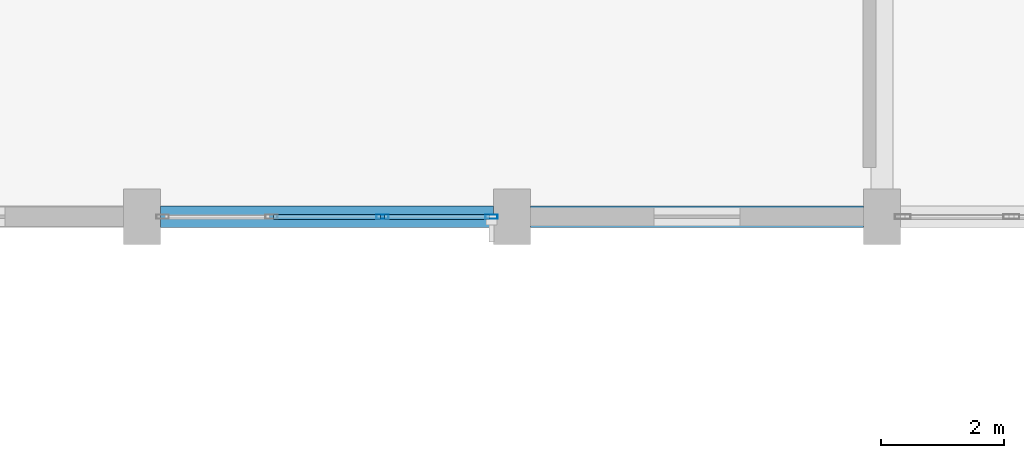
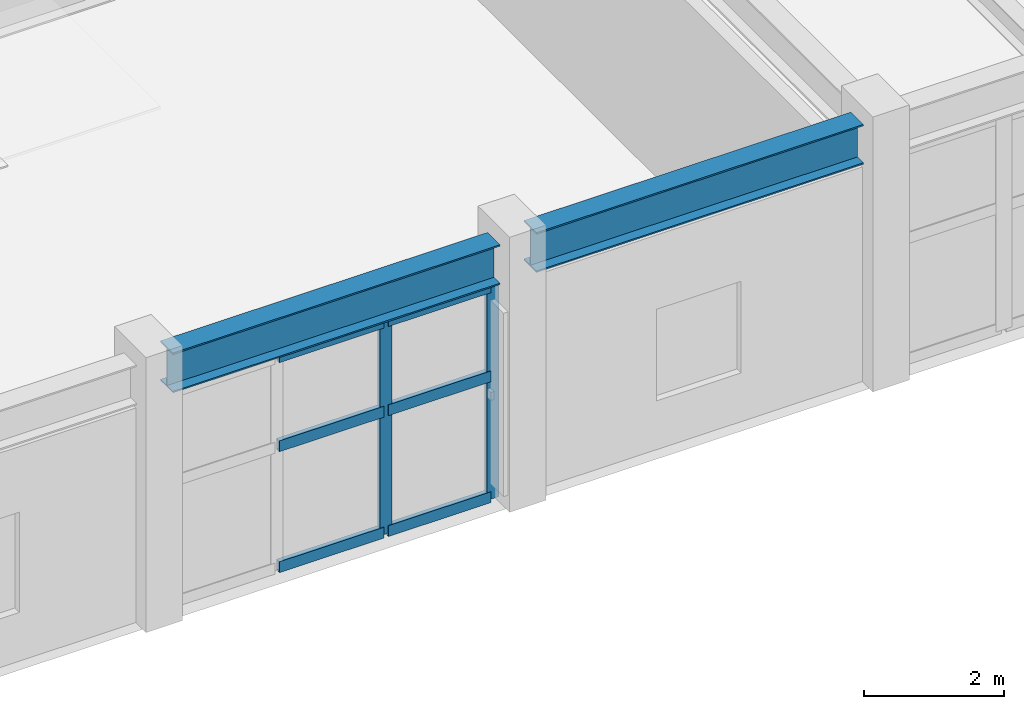
# One storey, part 8 of 85: 8 members, 2 beams, 1 element without a shape of its own.
"""IFC4 building model written with IfcOpenShell, lengths in metres."""

import ifcopenshell
import ifcopenshell.guid

model = None  # the IFC model being written
_history = None  # IfcOwnerHistory: only IFC2X3 demands one
_inside = {}  # id of a spatial element -> (the spatial element, [elements in it])
_under = {}  # id of a project, library or spatial element -> (it, [spatial elements below it])
_declared = {}  # id of a project -> (the project, [libraries it declares])
_typed = {}  # id of a type object -> (the type object, [elements of that type])
_made_of = {}  # id of a material, layer set ... -> (it, [elements and type objects made of it])


def new_model(schema):
    """Start an empty IFC model of exactly this schema.

    Asked for "IFC4X3", IfcOpenShell would pick the latest addendum, in which some entities
    have other attributes; the version numbers below select the first issue.
    IFC2X3 requires an IfcOwnerHistory on every rooted entity: one is made here for all.
    """
    global model, _history
    if schema == "IFC4X3":
        model = ifcopenshell.file(schema_version=(4, 3, 0, 0))
    else:
        model = ifcopenshell.file(schema=schema)
    _inside.clear()
    _under.clear()
    _declared.clear()
    _typed.clear()
    _made_of.clear()
    _history = None
    if model.schema == "IFC2X3":
        org = make("IfcOrganization", Name="unknown")
        user = make(
            "IfcPersonAndOrganization",
            ThePerson=make("IfcPerson", FamilyName="unknown"),
            TheOrganization=org,
        )
        app = make(
            "IfcApplication",
            ApplicationDeveloper=org,
            Version="unknown",
            ApplicationFullName="unknown",
            ApplicationIdentifier="unknown",
        )
        _history = make(
            "IfcOwnerHistory",
            OwningUser=user,
            OwningApplication=app,
            ChangeAction="ADDED",
            CreationDate=0,
        )
    return model


def make(cls, **values):
    """One entity of the class cls with the attributes given. An attribute that is None is left unset."""
    return model.create_entity(
        cls, **{name: value for name, value in values.items() if value is not None}
    )


def rooted(cls, **values):
    """An entity with a GlobalId (a new one), such as an element, a storey or a relation."""
    return make(cls, GlobalId=ifcopenshell.guid.new(), OwnerHistory=_history, **values)


def si_unit(unit_type, name, prefix=None):
    """IfcSIUnit, for example si_unit("LENGTHUNIT", "METRE", prefix="MILLI")."""
    return make("IfcSIUnit", UnitType=unit_type, Prefix=prefix, Name=name)


def assignment(units):
    """IfcUnitAssignment: the units of a project."""
    return None if units is None else make("IfcUnitAssignment", Units=units)


def point(xyz):
    """IfcCartesianPoint."""
    return None if xyz is None else make("IfcCartesianPoint", Coordinates=xyz)


def direction(xyz):
    """IfcDirection."""
    return None if xyz is None else make("IfcDirection", DirectionRatios=xyz)


def frame(location, z_axis=None, x_axis=None):
    """IfcAxis2Placement3D, a coordinate frame: its origin and axes. An axis left out is left unset."""
    return make(
        "IfcAxis2Placement3D",
        Location=point(location),
        Axis=direction(z_axis),
        RefDirection=direction(x_axis),
    )


def frame_2d(location, x_axis=None):
    """IfcAxis2Placement2D, a coordinate frame in the plane: its origin and x axis."""
    return make(
        "IfcAxis2Placement2D", Location=point(location), RefDirection=direction(x_axis)
    )


def origin():
    """The frame at (0, 0, 0) with its axes left unset."""
    return frame((0.0, 0.0, 0.0))


def origin_2d():
    """The frame at (0, 0) in the plane with its x axis left unset."""
    return frame_2d((0.0, 0.0))


def place(relative_to, where):
    """IfcLocalPlacement: puts the frame where relative to a parent placement (None: the world)."""
    return make(
        "IfcLocalPlacement", PlacementRelTo=relative_to, RelativePlacement=where
    )


def context(
    kind, dimensions, precision=None, world=None, true_north=None, identifier=None
):
    """IfcGeometricRepresentationContext, for example the 3D "Model" context."""
    return make(
        "IfcGeometricRepresentationContext",
        ContextIdentifier=identifier,
        ContextType=kind,
        CoordinateSpaceDimension=dimensions,
        Precision=precision,
        WorldCoordinateSystem=world,
        TrueNorth=true_north,
    )


def subcontext(parent, identifier, kind, view, scale=None):
    """IfcGeometricRepresentationSubContext, for example "Body" below "Model"."""
    return make(
        "IfcGeometricRepresentationSubContext",
        ContextIdentifier=identifier,
        ContextType=kind,
        ParentContext=parent,
        TargetScale=scale,
        TargetView=view,
    )


def project(units=None, contexts=None):
    """IfcProject with its units and contexts."""
    return rooted(
        "IfcProject",
        Name="project",
        RepresentationContexts=contexts,
        UnitsInContext=assignment(units),
    )


def spatial(cls, under=None, at=None, **own):
    """A site, building, storey or space (cls), placed at a placement, below another one or the project."""
    s = rooted(cls, ObjectPlacement=at, **own)
    if under is not None:
        _under.setdefault(under.id(), (under, []))[1].append(s)
    return s


def profile(cls, at=None, kind="AREA", **sizes):
    """A parametric profile (cls). Its sizes go by their IFC names, for example OverallWidth=200.0."""
    return make(cls, ProfileType=kind, Position=at, **sizes)


def hollow_rectangle(**sizes):
    """IfcRectangleHollowProfileDef."""
    return profile("IfcRectangleHollowProfileDef", **sizes)


def i_section(**sizes):
    """IfcIShapeProfileDef."""
    return profile("IfcIShapeProfileDef", **sizes)


def extrude(swept, where, along, depth):
    """IfcExtrudedAreaSolid: the profile swept, set in the frame where, extruded along a direction by depth."""
    return make(
        "IfcExtrudedAreaSolid",
        SweptArea=swept,
        Position=where,
        ExtrudedDirection=direction(along),
        Depth=depth,
    )


def shape(context_of_items, identifier, shape_type, items):
    """IfcShapeRepresentation: the items that make up one representation, for example the "Body"."""
    return make(
        "IfcShapeRepresentation",
        ContextOfItems=context_of_items,
        RepresentationIdentifier=identifier,
        RepresentationType=shape_type,
        Items=items,
    )


def material(Name=None, Category=None):
    """IfcMaterial."""
    return make("IfcMaterial", Name=Name, Category=Category)


def layer(
    of_material, thickness, ventilated=None, Name=None, Category=None, Priority=None
):
    """IfcMaterialLayer: one layer of a wall or slab, of a material (None: an air gap)."""
    return make(
        "IfcMaterialLayer",
        Material=of_material,
        LayerThickness=thickness,
        IsVentilated=ventilated,
        Name=Name,
        Category=Category,
        Priority=Priority,
    )


def layer_set(layers, Name=None):
    """IfcMaterialLayerSet."""
    return make("IfcMaterialLayerSet", MaterialLayers=layers, LayerSetName=Name)


def material_profile(
    of_material, cross_section, Name=None, Category=None, Priority=None
):
    """IfcMaterialProfile: a cross section and its material."""
    return make(
        "IfcMaterialProfile",
        Name=Name,
        Material=of_material,
        Profile=cross_section,
        Priority=Priority,
        Category=Category,
    )


def profile_set(profiles, Name=None, composite=None):
    """IfcMaterialProfileSet."""
    return make(
        "IfcMaterialProfileSet",
        Name=Name,
        MaterialProfiles=profiles,
        CompositeProfile=composite,
    )


def made_of(thing, what):
    """Note that an element or type object is made of a material, layer set ...; save() writes the relation."""
    if what is not None:
        _made_of.setdefault(what.id(), (what, []))[1].append(thing)
    return thing


def type_object(cls, material=None, **own):
    """A type object (cls), such as IfcWallType, which elements share."""
    return made_of(rooted(cls, **own), material)


def element(
    cls,
    number,
    at=None,
    inside=None,
    cuts=None,
    type_object=None,
    material=None,
    context=None,
    identifier="Body",
    shape_type=None,
    held_by="IfcProductDefinitionShape",
    body=None,
    shapes=None,
    **own,
):
    """One element of the class cls, such as IfcWall. Its Tag is "e" and its number.

    at: its placement. inside: the storey or other place that contains it. cuts: it is an
    opening in that element (IfcRelVoidsElement). A single representation is given by context,
    identifier, shape_type and body (its items); several are given by shapes. held_by: the class
    of the entity that holds the representations. save() writes the other relations.
    """
    e = rooted(cls, Tag="e%d" % number, ObjectPlacement=at, **own)
    if body is not None:
        shapes = [shape(context, identifier, shape_type, body)]
    if shapes is not None:
        e.Representation = make(held_by, Representations=shapes)
    if inside is not None:
        _inside.setdefault(inside.id(), (inside, []))[1].append(e)
    if cuts is not None:
        rooted(
            "IfcRelVoidsElement", RelatingBuildingElement=cuts, RelatedOpeningElement=e
        )
    if type_object is not None:
        _typed.setdefault(type_object.id(), (type_object, []))[1].append(e)
    return made_of(e, material)


def aggregate(whole, parts):
    """IfcRelAggregates: a whole, such as a stair, and the parts it consists of."""
    return rooted("IfcRelAggregates", RelatingObject=whole, RelatedObjects=parts)


def save(model, path):
    """Write the relations noted so far, then the file.

    IfcRelAggregates (storeys below a building ...), IfcRelContainedInSpatialStructure (elements
    in a storey), IfcRelDefinesByType, IfcRelAssociatesMaterial and IfcRelDeclares: one each for
    every whole, place, type object, material and project.
    """
    for whole, parts in _under.values():
        aggregate(whole, parts)
    for where, things in _inside.values():
        rooted(
            "IfcRelContainedInSpatialStructure",
            RelatedElements=things,
            RelatingStructure=where,
        )
    for kind, things in _typed.values():
        rooted("IfcRelDefinesByType", RelatedObjects=things, RelatingType=kind)
    for what, things in _made_of.values():
        rooted("IfcRelAssociatesMaterial", RelatedObjects=things, RelatingMaterial=what)
    for by, libraries in _declared.values():
        rooted("IfcRelDeclares", RelatingContext=by, RelatedDefinitions=libraries)
    model.write(path)


model = new_model("IFC4")

# Units and contexts
model_context = context("Model", 3, precision=1e-05, world=origin(), true_north=direction((0.0, 1.0)))
body_context = subcontext(model_context, "Body", "Model", "MODEL_VIEW")
ifc_project = project(units=[si_unit("LENGTHUNIT", "METRE"), si_unit("AREAUNIT", "SQUARE_METRE"), si_unit("VOLUMEUNIT", "CUBIC_METRE"), si_unit("PLANEANGLEUNIT", "RADIAN"), si_unit("MASSUNIT", "GRAM", prefix="KILO")], contexts=[model_context])

# Site, building, storey
site_placement = place(None, origin())
site = spatial("IfcSite", under=ifc_project, at=site_placement, CompositionType="ELEMENT")
building_placement = place(site_placement, origin())
building = spatial("IfcBuilding", under=site, at=building_placement, Name="Vaelkrest Opera House", CompositionType="ELEMENT")
storey_placement = place(building_placement, frame((0.0, 0.0, 10.199951171875)))
storey = spatial("IfcBuildingStorey", under=building, at=storey_placement, Name="L02", CompositionType="ELEMENT", Elevation=10.199951171875)

# Curtain wall, members
ifc_material_1 = material(Name="Dark bronze anodized aluminium", Category="aluminium")
ifc_layer = layer(ifc_material_1, 0.22998046875)
ifc_layer_set = layer_set([ifc_layer], Name="Dark bronze anodized aluminium")
curtain_wall_type = type_object("IfcCurtainWallType", Name="CW06", PredefinedType="NOTDEFINED", material=ifc_layer_set)
curtain_wall_placement = place(storey_placement, origin())
curtain_wall = element("IfcCurtainWall", 1, at=curtain_wall_placement, inside=storey, type_object=curtain_wall_type, Name="Curtain wall CW-L02-114", PredefinedType="NOTDEFINED")
ifc_material_profile_1 = material_profile(ifc_material_1, hollow_rectangle(XDim=0.070068359375, YDim=0.199951171875, WallThickness=0.004150390625, at=origin_2d()), Name="CWM70X200")
ifc_profile_set_1 = profile_set([ifc_material_profile_1], Name="Dark bronze anodized aluminium")
member_type_1 = type_object("IfcMemberType", Name="CWM02", PredefinedType="MULLION", material=ifc_profile_set_1)
member_1_placement = place(storey_placement, frame((-57.93310546875, -16.800048828125, 0.0), z_axis=(0.0, 0.0, 1.0), x_axis=(0.0, -1.0, 0.0)))
member_1 = element("IfcMember", 2, at=member_1_placement, type_object=member_type_1, Name="CW06 mullion 1", PredefinedType="MULLION", context=body_context, shape_type="SweptSolid", body=[
    extrude(hollow_rectangle(XDim=0.070068359375, YDim=0.199951171875, WallThickness=0.004150390625, at=origin_2d()), origin(), (0.0, 0.0, 1.0), 3.7451171875),
])
member_2_placement = place(storey_placement, frame((-59.69921875, -16.800048828125, 0.0), z_axis=(0.0, 0.0, 1.0), x_axis=(0.0, -1.0, 0.0)))
member_2 = element("IfcMember", 3, at=member_2_placement, type_object=member_type_1, Name="CW06 mullion 2", PredefinedType="MULLION", context=body_context, shape_type="SweptSolid", body=[
    extrude(hollow_rectangle(XDim=0.070068359375, YDim=0.199951171875, WallThickness=0.004150390625, at=origin_2d()), origin(), (0.0, 0.0, 1.0), 3.7451171875),
])
ifc_material_profile_2 = material_profile(ifc_material_1, hollow_rectangle(XDim=0.080078125, YDim=0.18994140625, WallThickness=0.0048828125, at=origin_2d()), Name="CWT80X190")
ifc_profile_set_2 = profile_set([ifc_material_profile_2], Name="Dark bronze anodized aluminium")
member_type_2 = type_object("IfcMemberType", Name="CWT04", PredefinedType="USERDEFINED", material=ifc_profile_set_2)
member_3_placement = place(storey_placement, frame((-57.968017578125, -16.800048828125, 0.0400390625), z_axis=(-1.0, 0.0, 0.0), x_axis=(0.0, -1.0, 0.0)))
member_3 = element("IfcMember", 4, at=member_3_placement, type_object=member_type_2, Name="CW06 transom 1.1", ObjectType="TRANSOM", PredefinedType="USERDEFINED", context=body_context, shape_type="SweptSolid", body=[
    extrude(hollow_rectangle(XDim=0.080078125, YDim=0.18994140625, WallThickness=0.0048828125, at=origin_2d()), origin(), (0.0, 0.0, 1.0), 1.6962890625),
])
member_4_placement = place(storey_placement, frame((-57.968017578125, -16.800048828125, 2.150146484375), z_axis=(-1.0, 0.0, 0.0), x_axis=(0.0, -1.0, 0.0)))
member_4 = element("IfcMember", 5, at=member_4_placement, type_object=member_type_2, Name="CW06 transom 1.2", ObjectType="TRANSOM", PredefinedType="USERDEFINED", context=body_context, shape_type="SweptSolid", body=[
    extrude(hollow_rectangle(XDim=0.080078125, YDim=0.18994140625, WallThickness=0.0048828125, at=origin_2d()), origin(), (0.0, 0.0, 1.0), 1.6962890625),
])
member_5_placement = place(storey_placement, frame((-57.968017578125, -16.800048828125, 3.705078125), z_axis=(-1.0, 0.0, 0.0), x_axis=(0.0, -1.0, 0.0)))
member_5 = element("IfcMember", 6, at=member_5_placement, type_object=member_type_2, Name="CW06 transom 1.3", ObjectType="TRANSOM", PredefinedType="USERDEFINED", context=body_context, shape_type="SweptSolid", body=[
    extrude(hollow_rectangle(XDim=0.080078125, YDim=0.18994140625, WallThickness=0.0048828125, at=origin_2d()), origin(), (0.0, 0.0, 1.0), 1.6962890625),
])
member_6_placement = place(storey_placement, frame((-59.734375, -16.800048828125, 0.0400390625), z_axis=(-1.0, 0.0, 0.0), x_axis=(0.0, -1.0, 0.0)))
member_6 = element("IfcMember", 7, at=member_6_placement, type_object=member_type_2, Name="CW06 transom 2.1", ObjectType="TRANSOM", PredefinedType="USERDEFINED", context=body_context, shape_type="SweptSolid", body=[
    extrude(hollow_rectangle(XDim=0.080078125, YDim=0.18994140625, WallThickness=0.0048828125, at=origin_2d()), origin(), (0.0, 0.0, 1.0), 1.731201171875),
])
member_7_placement = place(storey_placement, frame((-59.734375, -16.800048828125, 2.150146484375), z_axis=(-1.0, 0.0, 0.0), x_axis=(0.0, -1.0, 0.0)))
member_7 = element("IfcMember", 8, at=member_7_placement, type_object=member_type_2, Name="CW06 transom 2.2", ObjectType="TRANSOM", PredefinedType="USERDEFINED", context=body_context, shape_type="SweptSolid", body=[
    extrude(hollow_rectangle(XDim=0.080078125, YDim=0.18994140625, WallThickness=0.0048828125, at=origin_2d()), origin(), (0.0, 0.0, 1.0), 1.731201171875),
])
member_8_placement = place(storey_placement, frame((-59.734375, -16.800048828125, 3.705078125), z_axis=(-1.0, 0.0, 0.0), x_axis=(0.0, -1.0, 0.0)))
member_8 = element("IfcMember", 9, at=member_8_placement, type_object=member_type_2, Name="CW06 transom 2.3", ObjectType="TRANSOM", PredefinedType="USERDEFINED", context=body_context, shape_type="SweptSolid", body=[
    extrude(hollow_rectangle(XDim=0.080078125, YDim=0.18994140625, WallThickness=0.0048828125, at=origin_2d()), origin(), (0.0, 0.0, 1.0), 1.731201171875),
])
aggregate(curtain_wall, [member_1, member_2, member_3, member_4, member_5, member_6, member_7, member_8])

# Beams
ifc_material_2 = material(Name="Steel A992 Gr50", Category="steel")
ifc_material_profile_3 = material_profile(ifc_material_2, i_section(OverallWidth=0.35498046875, OverallDepth=0.695068359375, WebThickness=0.015380859375, FlangeThickness=0.02490234375, at=origin_2d()), Name="W27X146")
ifc_profile_set_3 = profile_set([ifc_material_profile_3], Name="Steel A992 Gr50")
beam_type = type_object("IfcBeamType", Name="SP02", PredefinedType="SPANDREL", material=ifc_profile_set_3)
for number, where, z_axis, x_axis, name in (
    (10, (-63.300048828125, -16.800048828125, 4.157470703125), (1.0, 0.0, 0.0), (0.0, 1.0, 0.0), "Beam BM-V3-L02-1623"),
    (11, (-57.300048828125, -16.800048828125, 4.157470703125), (1.0, 0.0, 0.0), (0.0, 1.0, 0.0), "Beam BM-V3-L02-1624"),
):
    element("IfcBeam", number, at=place(storey_placement, frame(where, z_axis=z_axis, x_axis=x_axis)), inside=storey, type_object=beam_type, Name=name, PredefinedType="SPANDREL", context=body_context, shape_type="SweptSolid", body=[
        extrude(i_section(OverallWidth=0.35498046875, OverallDepth=0.695068359375, WebThickness=0.015380859375, FlangeThickness=0.02490234375, at=origin_2d()), origin(), (0.0, 0.0, 1.0), 5.400146484375),
    ])

save(model, "model.ifc")
